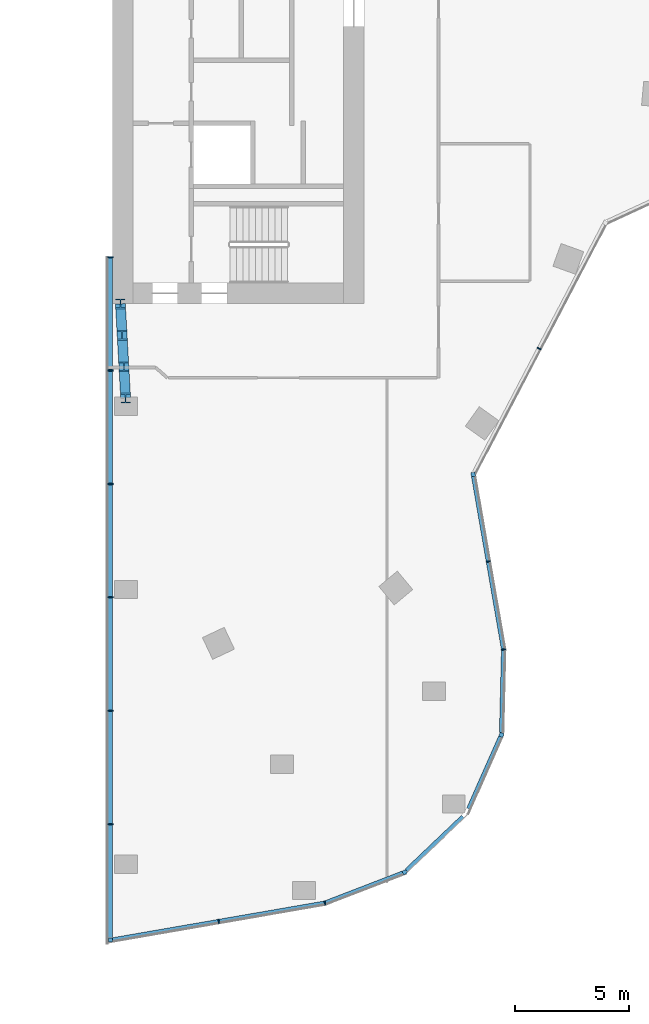
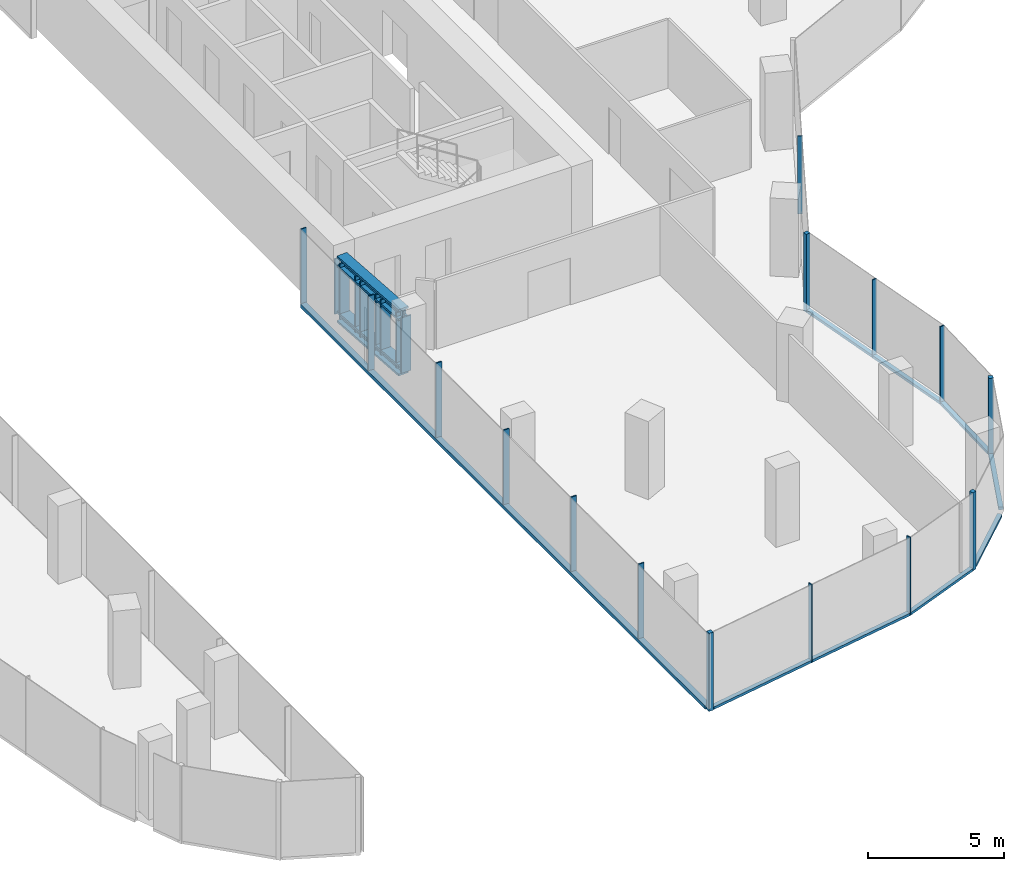
# One storey, part 3 of 23: 28 members, 8 elements without a shape of their own.
"""IFC4 building model written with IfcOpenShell, lengths in metres."""

from ifc_helpers import new_model, si_unit, direction, frame, origin, origin_2d, place, context, subcontext, project, spatial, rectangle, i_section, extrude, material, material_profile, profile_set, type_object, element, aggregate, save


model = new_model("IFC4")

# Units and contexts
model_context = context("Model", 3, precision=1e-05, world=origin(), true_north=direction((0.0, 1.0)))
body_context = subcontext(model_context, "Body", "Model", "MODEL_VIEW")
ifc_project = project(units=[si_unit("LENGTHUNIT", "METRE"), si_unit("AREAUNIT", "SQUARE_METRE"), si_unit("VOLUMEUNIT", "CUBIC_METRE"), si_unit("PLANEANGLEUNIT", "RADIAN"), si_unit("MASSUNIT", "GRAM", prefix="KILO")], contexts=[model_context])

# Site, building, storey
site_placement = place(None, origin())
site = spatial("IfcSite", under=ifc_project, at=site_placement, CompositionType="ELEMENT")
building_placement = place(site_placement, origin())
building = spatial("IfcBuilding", under=site, at=building_placement, Name="Orlundy Tower", CompositionType="ELEMENT")
storey_placement = place(building_placement, frame((0.0, 0.0, 260.5)))
storey = spatial("IfcBuildingStorey", under=building, at=storey_placement, Name="L69", CompositionType="ELEMENT", Elevation=260.5)

# Curtain wall, member
ifc_material_1 = material(Name="Aluminium bronze anodised", Category="aluminium")
curtain_wall_type = type_object("IfcCurtainWallType", Name="CW1 wall", PredefinedType="NOTDEFINED", material=ifc_material_1)
curtain_wall_1_placement = place(storey_placement, origin())
curtain_wall_1 = element("IfcCurtainWall", 1, at=curtain_wall_1_placement, inside=storey, type_object=curtain_wall_type, Name="CW1 run 112", PredefinedType="NOTDEFINED")
ifc_material_2 = material(Name="Aluminium bronze anodised", Category="aluminium")
ifc_material_profile_1 = material_profile(ifc_material_2, rectangle(XDim=0.179931640625, YDim=0.179931640625, at=origin_2d()), Name="CW1 corner post 180x180")
ifc_profile_set_1 = profile_set([ifc_material_profile_1], Name="Aluminium bronze anodised")
member_type_1 = type_object("IfcMemberType", Name="CW1 corner post 180x180", PredefinedType="MULLION", material=ifc_profile_set_1)
member_1_placement = place(storey_placement, frame((23.764892578125, -19.4736328125, -0.39990234375), z_axis=(0.0, 0.0, 1.0), x_axis=(0.985318106887, 0.170728522047, 0.0)))
member_1 = element("IfcMember", 2, at=member_1_placement, type_object=member_type_1, Name="CW1 mullion 18", PredefinedType="MULLION", context=body_context, shape_type="SweptSolid", body=[
    extrude(rectangle(XDim=0.179931640625, YDim=0.179931640625, at=origin_2d()), origin(), (0.0, 0.0, 1.0), 3.5),
])

curtain_wall_2_placement = place(storey_placement, origin())
curtain_wall_2 = element("IfcCurtainWall", 3, at=curtain_wall_2_placement, inside=storey, type_object=curtain_wall_type, Name="CW1 run 114", PredefinedType="NOTDEFINED")
member_2_placement = place(storey_placement, frame((24.99853515625, -30.85400390625, -0.39990234375), z_axis=(0.0, 0.0, 1.0), x_axis=(0.914133830763, -0.405412554633, 0.0)))
member_2 = element("IfcMember", 4, at=member_2_placement, type_object=member_type_1, Name="CW1 mullion 21", PredefinedType="MULLION", context=body_context, shape_type="SweptSolid", body=[
    extrude(rectangle(XDim=0.179931640625, YDim=0.179931640625, at=origin_2d()), origin(), (0.0, 0.0, 1.0), 3.5),
])

curtain_wall_3_placement = place(storey_placement, origin())
curtain_wall_3 = element("IfcCurtainWall", 5, at=curtain_wall_3_placement, inside=storey, type_object=curtain_wall_type, Name="CW1 run 116", PredefinedType="NOTDEFINED")
member_3_placement = place(storey_placement, frame((20.77001953125, -36.85546875, -0.39990234375), z_axis=(0.0, 0.0, 1.0), x_axis=(0.359828461467, -0.933018476944, 0.0)))
member_3 = element("IfcMember", 6, at=member_3_placement, type_object=member_type_1, Name="CW1 mullion 23", PredefinedType="MULLION", context=body_context, shape_type="SweptSolid", body=[
    extrude(rectangle(XDim=0.179931640625, YDim=0.179931640625, at=origin_2d()), origin(), (0.0, 0.0, 1.0), 3.5),
])

curtain_wall_4_placement = place(storey_placement, origin())
curtain_wall_4 = element("IfcCurtainWall", 7, at=curtain_wall_4_placement, inside=storey, type_object=curtain_wall_type, Name="CW1 run 118", PredefinedType="NOTDEFINED")
member_4_placement = place(storey_placement, frame((7.909912109375, -39.823974609375, -0.39990234375), z_axis=(0.0, 0.0, 1.0), x_axis=(-1.0, 0.0, 0.0)))
member_4 = element("IfcMember", 8, at=member_4_placement, type_object=member_type_1, Name="CW1 mullion 26", PredefinedType="MULLION", context=body_context, shape_type="SweptSolid", body=[
    extrude(rectangle(XDim=0.179931640625, YDim=0.179931640625, at=origin_2d()), origin(), (0.0, 0.0, 1.0), 3.5),
])

curtain_wall_5_placement = place(storey_placement, origin())
curtain_wall_5 = element("IfcCurtainWall", 9, at=curtain_wall_5_placement, inside=storey, type_object=curtain_wall_type, Name="CW1 run 111", PredefinedType="NOTDEFINED")
ifc_material_3 = material(Name="Aluminium bronze anodised", Category="aluminium")
ifc_material_profile_2 = material_profile(ifc_material_3, rectangle(XDim=0.179931640625, YDim=0.050048828125, at=origin_2d()), Name="CW1 mullion 50x180")
ifc_profile_set_2 = profile_set([ifc_material_profile_2], Name="Aluminium bronze anodised")
member_type_2 = type_object("IfcMemberType", Name="CW1 mullion 50x180", PredefinedType="MULLION", material=ifc_profile_set_2)
member_5_placement = place(storey_placement, frame((26.649658203125, -13.97119140625, -0.39990234375), z_axis=(0.0, 0.0, 1.0), x_axis=(0.885660617608, -0.464333145939, 0.0)))
member_5 = element("IfcMember", 10, at=member_5_placement, type_object=member_type_2, Name="CW1 mullion 17", PredefinedType="MULLION", context=body_context, shape_type="SweptSolid", body=[
    extrude(rectangle(XDim=0.179931640625, YDim=0.050048828125, at=origin_2d()), origin(), (0.0, 0.0, 1.0), 3.5),
])
aggregate(curtain_wall_5, [member_5])

# Member
member_6_placement = place(storey_placement, frame((24.424072265625, -23.278564453125, -0.39990234375), z_axis=(0.0, 0.0, 1.0), x_axis=(0.985318106887, 0.170728522047, 0.0)))
member_6 = element("IfcMember", 11, at=member_6_placement, type_object=member_type_2, Name="CW1 mullion 19", PredefinedType="MULLION", context=body_context, shape_type="SweptSolid", body=[
    extrude(rectangle(XDim=0.179931640625, YDim=0.050048828125, at=origin_2d()), origin(), (0.0, 0.0, 1.0), 3.5),
])

# Curtain wall, member
curtain_wall_6_placement = place(storey_placement, origin())
curtain_wall_6 = element("IfcCurtainWall", 12, at=curtain_wall_6_placement, inside=storey, type_object=curtain_wall_type, Name="CW1 run 113", PredefinedType="NOTDEFINED")
member_7_placement = place(storey_placement, frame((25.090087890625, -27.122314453125, -0.39990234375), z_axis=(0.0, 0.0, 1.0), x_axis=(0.9972996306, 0.073440089904, 0.0)))
member_7 = element("IfcMember", 13, at=member_7_placement, type_object=member_type_2, Name="CW1 mullion 20", PredefinedType="MULLION", context=body_context, shape_type="SweptSolid", body=[
    extrude(rectangle(XDim=0.179931640625, YDim=0.050048828125, at=origin_2d()), origin(), (0.0, 0.0, 1.0), 3.5),
])

# Curtain wall, members
curtain_wall_7_placement = place(storey_placement, origin())
curtain_wall_7 = element("IfcCurtainWall", 14, at=curtain_wall_7_placement, inside=storey, type_object=curtain_wall_type, Name="CW1 run 117", PredefinedType="NOTDEFINED")
member_8_placement = place(storey_placement, frame((17.2861328125, -38.19921875, -0.39990234375), z_axis=(0.0, 0.0, 1.0), x_axis=(0.266571821277, -0.963815057001, 0.0)))
member_8 = element("IfcMember", 15, at=member_8_placement, type_object=member_type_2, Name="CW1 mullion 24", PredefinedType="MULLION", context=body_context, shape_type="SweptSolid", body=[
    extrude(rectangle(XDim=0.179931640625, YDim=0.050048828125, at=origin_2d()), origin(), (0.0, 0.0, 1.0), 3.5),
])
member_9_placement = place(storey_placement, frame((12.646484375, -39.003173828125, -0.39990234375), z_axis=(0.0, 0.0, 1.0), x_axis=(0.170744034483, -0.985315418883, 0.0)))
member_9 = element("IfcMember", 16, at=member_9_placement, type_object=member_type_2, Name="CW1 mullion 25", PredefinedType="MULLION", context=body_context, shape_type="SweptSolid", body=[
    extrude(rectangle(XDim=0.179931640625, YDim=0.050048828125, at=origin_2d()), origin(), (0.0, 0.0, 1.0), 3.5),
])

# Member
ifc_material_4 = material(Name="Aluminium bronze anodised", Category="aluminium")
ifc_material_profile_3 = material_profile(ifc_material_4, rectangle(XDim=0.179931640625, YDim=0.1201171875, at=origin_2d()), Name="CW1 transom 180x120")
ifc_profile_set_3 = profile_set([ifc_material_profile_3], Name="Aluminium bronze anodised")
member_type_3 = type_object("IfcMemberType", Name="CW1 transom 180x120", PredefinedType="USERDEFINED", material=ifc_profile_set_3)
member_10_placement = place(storey_placement, frame((23.7802734375, -19.5625, -0.340087890625), z_axis=(0.170732175042, -0.985317473917, 0.0), x_axis=(0.985317473917, 0.170732175042, 0.0)))
member_10 = element("IfcMember", 17, at=member_10_placement, type_object=member_type_3, Name="CW1 transom", ObjectType="TRANSOM", PredefinedType="USERDEFINED", context=body_context, shape_type="SweptSolid", body=[
    extrude(rectangle(XDim=0.179931640625, YDim=0.1201171875, at=origin_2d()), origin(), (0.0, 0.0, 1.0), 7.6474609375),
])

aggregate(curtain_wall_1, [member_1, member_6, member_10])

member_11_placement = place(storey_placement, frame((25.089599609375, -27.1474609375, -0.340087890625), z_axis=(-0.024546173371, -0.999698697295, 0.0), x_axis=(0.999698697295, -0.024546173371, 0.0)))
member_11 = element("IfcMember", 18, at=member_11_placement, type_object=member_type_3, Name="CW1 transom", ObjectType="TRANSOM", PredefinedType="USERDEFINED", context=body_context, shape_type="SweptSolid", body=[
    extrude(rectangle(XDim=0.179931640625, YDim=0.1201171875, at=origin_2d()), origin(), (0.0, 0.0, 1.0), 3.6103515625),
])

aggregate(curtain_wall_6, [member_7, member_11])

member_12_placement = place(storey_placement, frame((24.962158203125, -30.936279296875, -0.340087890625), z_axis=(-0.405447673371, -0.914118255018, 0.0), x_axis=(0.914118255018, -0.405447673371, 0.0)))
member_12 = element("IfcMember", 19, at=member_12_placement, type_object=member_type_3, Name="CW1 transom", ObjectType="TRANSOM", PredefinedType="USERDEFINED", context=body_context, shape_type="SweptSolid", body=[
    extrude(rectangle(XDim=0.179931640625, YDim=0.1201171875, at=origin_2d()), origin(), (0.0, 0.0, 1.0), 3.443603515625),
])

aggregate(curtain_wall_2, [member_2, member_12])

# Curtain wall, member
curtain_wall_8_placement = place(storey_placement, origin())
curtain_wall_8 = element("IfcCurtainWall", 20, at=curtain_wall_8_placement, inside=storey, type_object=curtain_wall_type, Name="CW1 run 115", PredefinedType="NOTDEFINED")
member_13_placement = place(storey_placement, frame((23.322265625, -34.427001953125, -0.340087890625), z_axis=(-0.724456491163, -0.689320529516, 0.0), x_axis=(0.689320529516, -0.724456491163, 0.0)))
member_13 = element("IfcMember", 21, at=member_13_placement, type_object=member_type_3, Name="CW1 transom", ObjectType="TRANSOM", PredefinedType="USERDEFINED", context=body_context, shape_type="SweptSolid", body=[
    extrude(rectangle(XDim=0.179931640625, YDim=0.1201171875, at=origin_2d()), origin(), (0.0, 0.0, 1.0), 3.425537109375),
])
aggregate(curtain_wall_8, [member_13])

# Member
member_14_placement = place(storey_placement, frame((20.68603515625, -36.887939453125, -0.340087890625), z_axis=(-0.933011365774, -0.359846899858, 0.0), x_axis=(0.359846899858, -0.933011365774, 0.0)))
member_14 = element("IfcMember", 22, at=member_14_placement, type_object=member_type_3, Name="CW1 transom", ObjectType="TRANSOM", PredefinedType="USERDEFINED", context=body_context, shape_type="SweptSolid", body=[
    extrude(rectangle(XDim=0.179931640625, YDim=0.1201171875, at=origin_2d()), origin(), (0.0, 0.0, 1.0), 3.618896484375),
])

aggregate(curtain_wall_3, [member_3, member_14])

member_15_placement = place(storey_placement, frame((17.261474609375, -38.203369140625, -0.340087890625), z_axis=(-0.985314499235, -0.170749341426, 0.0), x_axis=(0.170749341426, -0.985314499235, 0.0)))
member_15 = element("IfcMember", 23, at=member_15_placement, type_object=member_type_3, Name="CW1 transom", ObjectType="TRANSOM", PredefinedType="USERDEFINED", context=body_context, shape_type="SweptSolid", body=[
    extrude(rectangle(XDim=0.179931640625, YDim=0.1201171875, at=origin_2d()), origin(), (0.0, 0.0, 1.0), 9.3837890625),
])

aggregate(curtain_wall_7, [member_8, member_9, member_15])

ifc_material_5 = material(Name="Aluminium bronze anodised", Category="aluminium")
ifc_material_profile_4 = material_profile(ifc_material_5, rectangle(XDim=0.239990234375, YDim=0.050048828125, at=origin_2d()), Name="CW6 mullion 50x240")
ifc_profile_set_4 = profile_set([ifc_material_profile_4], Name="Aluminium bronze anodised")
member_type_4 = type_object("IfcMemberType", Name="CW6 mullion 50x240", PredefinedType="MULLION", material=ifc_profile_set_4)
member_16_placement = place(storey_placement, frame((7.909912109375, -34.76025390625, -0.39990234375), z_axis=(0.0, 0.0, 1.0), x_axis=(-1.0, 0.0, 0.0)))
member_16 = element("IfcMember", 24, at=member_16_placement, type_object=member_type_4, Name="CW6 mullion 27", PredefinedType="MULLION", context=body_context, shape_type="SweptSolid", body=[
    extrude(rectangle(XDim=0.239990234375, YDim=0.050048828125, at=origin_2d()), origin(), (0.0, 0.0, 1.0), 3.5),
])

member_17_placement = place(storey_placement, frame((7.909912109375, -29.80322265625, -0.39990234375), z_axis=(0.0, 0.0, 1.0), x_axis=(-1.0, 0.0, 0.0)))
member_17 = element("IfcMember", 25, at=member_17_placement, type_object=member_type_4, Name="CW6 mullion 28", PredefinedType="MULLION", context=body_context, shape_type="SweptSolid", body=[
    extrude(rectangle(XDim=0.239990234375, YDim=0.050048828125, at=origin_2d()), origin(), (0.0, 0.0, 1.0), 3.5),
])

member_18_placement = place(storey_placement, frame((7.909912109375, -24.846435546875, -0.39990234375), z_axis=(0.0, 0.0, 1.0), x_axis=(-1.0, 0.0, 0.0)))
member_18 = element("IfcMember", 26, at=member_18_placement, type_object=member_type_4, Name="CW6 mullion 29", PredefinedType="MULLION", context=body_context, shape_type="SweptSolid", body=[
    extrude(rectangle(XDim=0.239990234375, YDim=0.050048828125, at=origin_2d()), origin(), (0.0, 0.0, 1.0), 3.5),
])

member_19_placement = place(storey_placement, frame((7.909912109375, -19.8896484375, -0.39990234375), z_axis=(0.0, 0.0, 1.0), x_axis=(-1.0, 0.0, 0.0)))
member_19 = element("IfcMember", 27, at=member_19_placement, type_object=member_type_4, Name="CW6 mullion 30", PredefinedType="MULLION", context=body_context, shape_type="SweptSolid", body=[
    extrude(rectangle(XDim=0.239990234375, YDim=0.050048828125, at=origin_2d()), origin(), (0.0, 0.0, 1.0), 3.5),
])

member_20_placement = place(storey_placement, frame((7.909912109375, -14.9326171875, -0.39990234375), z_axis=(0.0, 0.0, 1.0), x_axis=(-1.0, 0.0, 0.0)))
member_20 = element("IfcMember", 28, at=member_20_placement, type_object=member_type_4, Name="CW6 mullion 31", PredefinedType="MULLION", context=body_context, shape_type="SweptSolid", body=[
    extrude(rectangle(XDim=0.239990234375, YDim=0.050048828125, at=origin_2d()), origin(), (0.0, 0.0, 1.0), 3.5),
])

member_21_placement = place(storey_placement, frame((7.909912109375, -9.975830078125, -0.39990234375), z_axis=(0.0, 0.0, 1.0), x_axis=(-1.0, 0.0, 0.0)))
member_21 = element("IfcMember", 29, at=member_21_placement, type_object=member_type_4, Name="CW6 mullion 32", PredefinedType="MULLION", context=body_context, shape_type="SweptSolid", body=[
    extrude(rectangle(XDim=0.239990234375, YDim=0.050048828125, at=origin_2d()), origin(), (0.0, 0.0, 1.0), 3.5),
])

ifc_material_6 = material(Name="Aluminium bronze anodised", Category="aluminium")
ifc_material_profile_5 = material_profile(ifc_material_6, rectangle(XDim=0.239990234375, YDim=0.159912109375, at=origin_2d()), Name="CW6 transom 240x160")
ifc_profile_set_5 = profile_set([ifc_material_profile_5], Name="Aluminium bronze anodised")
member_type_5 = type_object("IfcMemberType", Name="CW6 transom 240x160", PredefinedType="USERDEFINED", material=ifc_profile_set_5)
member_22_placement = place(storey_placement, frame((7.8798828125, -39.717041015625, -0.320068359375), z_axis=(0.0, 1.0, 0.0), x_axis=(-1.0, 0.0, 0.0)))
member_22 = element("IfcMember", 30, at=member_22_placement, type_object=member_type_5, Name="CW6 transom", ObjectType="TRANSOM", PredefinedType="USERDEFINED", context=body_context, shape_type="SweptSolid", body=[
    extrude(rectangle(XDim=0.239990234375, YDim=0.159912109375, at=origin_2d()), origin(), (0.0, 0.0, 1.0), 29.716064453125),
])

aggregate(curtain_wall_4, [member_4, member_16, member_17, member_18, member_19, member_20, member_21, member_22])

# Members
ifc_material_7 = material(Name="Steel ASTM A992 Gr 50", Category="steel")
ifc_material_profile_6 = material_profile(ifc_material_7, i_section(OverallWidth=0.43212890625, OverallDepth=0.497802734375, WebThickness=0.0556640625, FlangeThickness=0.0888671875, at=origin_2d()), Name="W14X500")
ifc_profile_set_6 = profile_set([ifc_material_profile_6], Name="Steel ASTM A992 Gr 50")
member_type_6 = type_object("IfcMemberType", Name="PORTAL EDGE TRUSS chord W14X500", PredefinedType="CHORD", material=ifc_profile_set_6)
for number, where, z_axis, x_axis, name in (
    (31, (8.35009765625, -12.02001953125, 0.28466796875), (0.05566660133, -0.998449412588, 0.0), (0.998449412588, 0.05566660133, 0.0), "Portal edge truss bottom chord PE-ES"),
    (32, (8.35009765625, -12.02001953125, 2.765380859375), (0.05566660133, -0.998449412588, 0.0), (0.998449412588, 0.05566660133, 0.0), "Portal edge truss top chord PE-ES"),
):
    element("IfcMember", number, at=place(storey_placement, frame(where, z_axis=z_axis, x_axis=x_axis)), inside=storey, type_object=member_type_6, Name=name, PredefinedType="CHORD", context=body_context, shape_type="SweptSolid", body=[
        extrude(i_section(OverallWidth=0.43212890625, OverallDepth=0.497802734375, WebThickness=0.0556640625, FlangeThickness=0.0888671875, at=origin_2d()), origin(), (0.0, 0.0, 1.0), 4.126953125),
    ])
ifc_material_8 = material(Name="Steel ASTM A992 Gr 50", Category="steel")
ifc_material_profile_7 = material_profile(ifc_material_8, i_section(OverallWidth=0.412109375, OverallDepth=0.434814453125, WebThickness=0.035888671875, FlangeThickness=0.057373046875, at=origin_2d()), Name="W14X311")
ifc_profile_set_7 = profile_set([ifc_material_profile_7], Name="Steel ASTM A992 Gr 50")
member_type_7 = type_object("IfcMemberType", Name="PORTAL EDGE TRUSS post W14X311", PredefinedType="POST", material=ifc_profile_set_7)
for number, where, z_axis, x_axis, name in (
    (33, (8.35009765625, -12.02001953125, 0.28466796875), (0.0, 0.0, 1.0), (1.0, 0.0, 0.0), "Portal edge truss post PE-ES-0"),
    (34, (8.426513671875, -13.3935546875, 0.28466796875), (0.0, 0.0, 1.0), (1.0, 0.0, 0.0), "Portal edge truss post PE-ES-1"),
    (35, (8.50341796875, -14.76708984375, 0.28466796875), (0.0, 0.0, 1.0), (1.0, 0.0, 0.0), "Portal edge truss post PE-ES-2"),
    (36, (8.579833984375, -16.140625, 0.28466796875), (0.0, 0.0, 1.0), (1.0, 0.0, 0.0), "Portal edge truss post PE-ES-3"),
):
    element("IfcMember", number, at=place(storey_placement, frame(where, z_axis=z_axis, x_axis=x_axis)), inside=storey, type_object=member_type_7, Name=name, PredefinedType="POST", context=body_context, shape_type="SweptSolid", body=[
        extrude(i_section(OverallWidth=0.412109375, OverallDepth=0.434814453125, WebThickness=0.035888671875, FlangeThickness=0.057373046875, at=origin_2d()), origin(), (0.0, 0.0, 1.0), 2.480712890625),
    ])

save(model, "model.ifc")
